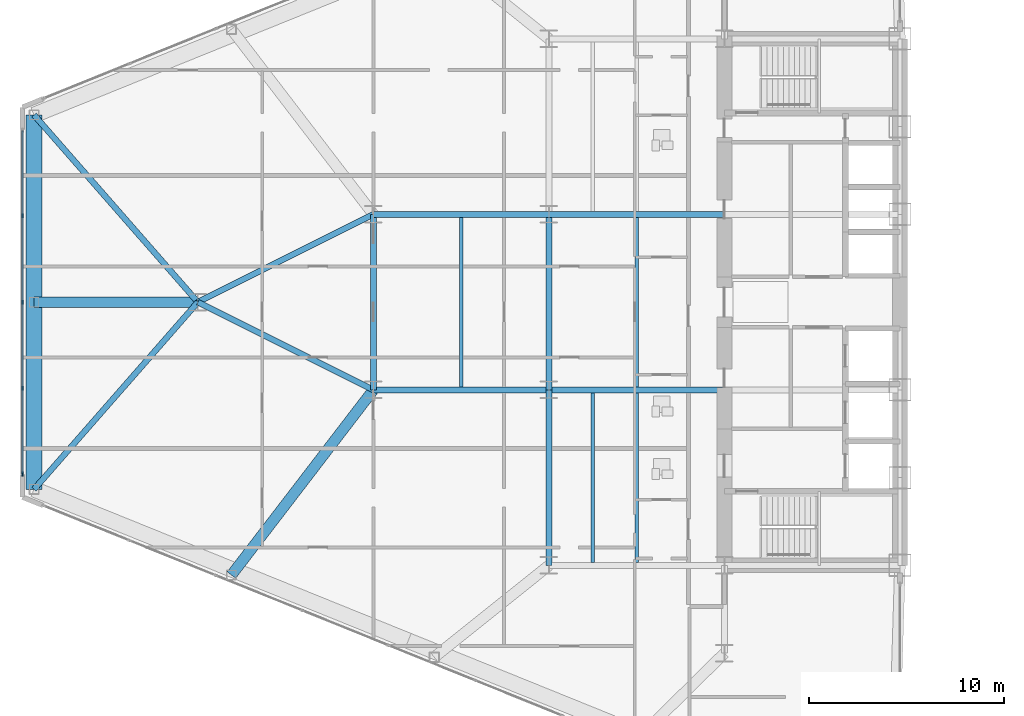
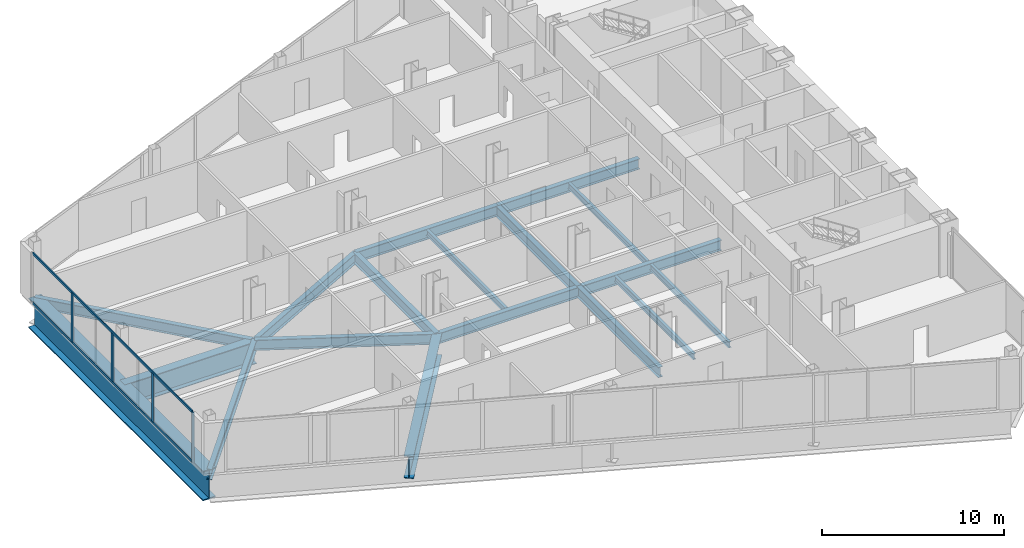
# One storey, part 5 of 26: 18 beams, 6 members, 1 element without a shape of its own.
"""IFC4 building model written with IfcOpenShell, lengths in metres."""

from ifc_helpers import new_model, si_unit, direction, frame, origin, origin_2d, place, context, subcontext, project, spatial, rectangle, i_section, extrude, source, transform, mapped, material, layer, layer_set, material_profile, profile_set, type_object, type_shapes, element, aggregate, save


model = new_model("IFC4")

# Units and contexts
model_context = context("Model", 3, precision=1e-05, world=origin(), true_north=direction((0.0, 1.0)))
body_context = subcontext(model_context, "Body", "Model", "MODEL_VIEW")
ifc_project = project(units=[si_unit("LENGTHUNIT", "METRE"), si_unit("AREAUNIT", "SQUARE_METRE"), si_unit("VOLUMEUNIT", "CUBIC_METRE"), si_unit("PLANEANGLEUNIT", "RADIAN"), si_unit("MASSUNIT", "GRAM", prefix="KILO")], contexts=[model_context])

# Site, building, storey
site_placement = place(None, origin())
site = spatial("IfcSite", under=ifc_project, at=site_placement, CompositionType="ELEMENT")
building_placement = place(site_placement, origin())
building = spatial("IfcBuilding", under=site, at=building_placement, Name="Seokmaru Belvedere", CompositionType="ELEMENT")
storey_placement = place(building_placement, frame((0.0, 0.0, 18.89990234375)))
storey = spatial("IfcBuildingStorey", under=building, at=storey_placement, Name="L04", CompositionType="ELEMENT", Elevation=18.89990234375)

# Beams
ifc_material_1 = material(Name="Steel SM355 (355 MPa)", Category="steel")
ifc_material_profile_1 = material_profile(ifc_material_1, i_section(OverallWidth=0.300048828125, OverallDepth=0.699951171875, WebThickness=0.012939453125, FlangeThickness=0.02392578125, at=origin_2d()), Name="H-700x300x13x24")
ifc_profile_set_1 = profile_set([ifc_material_profile_1], Name="Steel SM355 (355 MPa)")
beam_type_1 = type_object("IfcBeamType", Name="Primary Floor Girder H-700", PredefinedType="BEAM", material=ifc_profile_set_1)
shared_shape_1 = source(origin(), body_context, "Body", "SweptSolid", [
    extrude(i_section(OverallWidth=0.300048828125, OverallDepth=0.699951171875, WebThickness=0.012939453125, FlangeThickness=0.02392578125, at=origin_2d()), origin(), (0.0, 0.0, 1.0), 9.0),
])
for number, where, z_axis, x_axis, name in (
    (1, (-45.5, -13.5, -0.56982421875), (0.0, 1.0, 0.0), (-1.0, 0.0, 0.0), "L04 W Interior Grid Girder 1"),
    (2, (-45.5, -4.5, -0.56982421875), (0.0, 1.0, 0.0), (-1.0, 0.0, 0.0), "L04 W Interior Grid Girder 2"),
    (3, (-45.5, -4.5, -0.56982421875), (1.0, 0.0, 0.0), (0.0, 1.0, 0.0), "L04 W Wing Primary Girder 2"),
    (4, (-45.5, 4.5, -0.56982421875), (1.0, 0.0, 0.0), (0.0, 1.0, 0.0), "L04 W Wing Primary Girder 3"),
    (5, (-54.5, -4.5, -0.56982421875), (1.0, 0.0, 0.0), (0.0, 1.0, 0.0), "L04 W Outer Wing Girder 1"),
    (6, (-54.5, 4.5, -0.56982421875), (1.0, 0.0, 0.0), (0.0, 1.0, 0.0), "L04 W Outer Wing Girder 2"),
    (7, (-54.5, -4.5, -0.56982421875), (0.0, 1.0, 0.0), (-1.0, 0.0, 0.0), "L04 W Apex Frame Girder"),
):
    element("IfcBeam", number, at=place(storey_placement, frame(where, z_axis=z_axis, x_axis=x_axis)), inside=storey, type_object=beam_type_1, Name=name, PredefinedType="BEAM", context=body_context, shape_type="MappedRepresentation", body=[
        mapped(shared_shape_1, transform((0.0, 0.0, 0.0), scale=1.0)),
    ])
shared_shape_2 = source(origin(), body_context, "Body", "SweptSolid", [
    extrude(i_section(OverallWidth=0.300048828125, OverallDepth=0.699951171875, WebThickness=0.012939453125, FlangeThickness=0.02392578125, at=origin_2d()), origin(), (0.0, 0.0, 1.0), 10.062255859375),
])
for number, where, z_axis, x_axis, name in (
    (8, (-54.5, -4.5, -0.56982421875), (-0.894427191, 0.4472135955, 0.0), (-0.4472135955, -0.894427191, 0.0), "L04 W Apex Converging Girder 1"),
    (9, (-54.5, 4.5, -0.56982421875), (-0.894427191, -0.4472135955, 0.0), (0.4472135955, -0.894427191, 0.0), "L04 W Apex Converging Girder 2"),
):
    element("IfcBeam", number, at=place(storey_placement, frame(where, z_axis=z_axis, x_axis=x_axis)), inside=storey, type_object=beam_type_1, Name=name, PredefinedType="BEAM", context=body_context, shape_type="MappedRepresentation", body=[
        mapped(shared_shape_2, transform((0.0, 0.0, 0.0), scale=1.0)),
    ])
ifc_material_profile_2 = material_profile(ifc_material_1, i_section(OverallWidth=0.18505859375, OverallDepth=0.389892578125, WebThickness=0.008056640625, FlangeThickness=0.011962890625, at=origin_2d()), Name="H-390x185x8x12")
ifc_profile_set_2 = profile_set([ifc_material_profile_2], Name="Steel SM355 (355 MPa)")
beam_type_2 = type_object("IfcBeamType", Name="Secondary Floor Joist H-350", PredefinedType="JOIST", material=ifc_profile_set_2)
shared_shape_3 = source(origin(), body_context, "Body", "SweptSolid", [
    extrude(i_section(OverallWidth=0.18505859375, OverallDepth=0.389892578125, WebThickness=0.008056640625, FlangeThickness=0.011962890625, at=origin_2d()), origin(), (0.0, 0.0, 1.0), 8.68994140625),
])
type_shapes(beam_type_2, [shared_shape_3])
for number, where, z_axis, x_axis, name in (
    (10, (-43.25, -13.344970703125, -0.414794921875), (0.0, 1.0, 0.0), (-1.0, 0.0, 0.0), "L04 W Wing Inner Secondary Joist 1"),
    (11, (-41.0, -13.344970703125, -0.414794921875), (0.0, 1.0, 0.0), (-1.0, 0.0, 0.0), "L04 W Secondary Floor Joist 1"),
    (12, (-41.0, -4.344970703125, -0.414794921875), (0.0, 1.0, 0.0), (-1.0, 0.0, 0.0), "L04 W Secondary Floor Joist 2"),
    (13, (-50.0, -4.344970703125, -0.414794921875), (0.0, 1.0, 0.0), (-1.0, 0.0, 0.0), "L04 W Outer Bay Secondary Joist"),
):
    element("IfcBeam", number, at=place(storey_placement, frame(where, z_axis=z_axis, x_axis=x_axis)), inside=storey, type_object=beam_type_2, Name=name, PredefinedType="JOIST", context=body_context, shape_type="MappedRepresentation", body=[
        mapped(shared_shape_3, transform((0.0, 0.0, 0.0), scale=1.0)),
    ])
ifc_material_2 = material(Name="Steel HSA650 (650 MPa)", Category="steel")
ifc_material_profile_3 = material_profile(ifc_material_2, i_section(OverallWidth=0.800048828125, OverallDepth=2.0, WebThickness=0.0400390625, FlangeThickness=0.070068359375, at=origin_2d()), Name="BH-2000x800x40x70")
ifc_profile_set_3 = profile_set([ifc_material_profile_3], Name="Steel HSA650 (650 MPa)")
beam_type_3 = type_object("IfcBeamType", Name="Sky-Gate Transfer Truss Chord Girder BH-2000", PredefinedType="BEAM", material=ifc_profile_set_3)
shared_shape_4 = source(origin(), body_context, "Body", "SweptSolid", [
    extrude(i_section(OverallWidth=0.800048828125, OverallDepth=2.0, WebThickness=0.0400390625, FlangeThickness=0.070068359375, at=origin_2d()), origin(), (0.0, 0.0, 1.0), 19.19140625),
])
type_shapes(beam_type_3, [shared_shape_4])
beam_1_placement = place(storey_placement, frame((-71.89990234375, -9.595703125, -1.219970703125), z_axis=(0.0, 1.0, 0.0), x_axis=(-1.0, 0.0, 0.0)))
element("IfcBeam", 14, at=beam_1_placement, inside=storey, type_object=beam_type_3, Name="L04 W Podium Apex Transfer Girder", PredefinedType="BEAM", context=body_context, shape_type="MappedRepresentation", body=[
    mapped(shared_shape_4, transform((0.0, 0.0, 0.0), scale=1.0)),
])
ifc_material_profile_4 = material_profile(ifc_material_2, i_section(OverallWidth=0.550048828125, OverallDepth=1.5, WebThickness=0.028076171875, FlangeThickness=0.044921875, at=origin_2d()), Name="BH-1500x550x28x45")
ifc_profile_set_4 = profile_set([ifc_material_profile_4], Name="Steel HSA650 (650 MPa)")
beam_type_4 = type_object("IfcBeamType", Name="Setback Transfer Girder BH-1500", PredefinedType="BEAM", material=ifc_profile_set_4)
shared_shape_5 = source(origin(), body_context, "Body", "SweptSolid", [
    extrude(i_section(OverallWidth=0.550048828125, OverallDepth=1.5, WebThickness=0.028076171875, FlangeThickness=0.044921875, at=origin_2d()), origin(), (0.0, 0.0, 1.0), 11.96337890625),
])
beam_2_placement = place(storey_placement, frame((-61.779052734375, -13.994140625, -0.969970703125), z_axis=(0.608442682624, 0.793597821294, 0.0), x_axis=(-0.793597821294, 0.608442682624, 0.0)))
element("IfcBeam", 15, at=beam_2_placement, inside=storey, type_object=beam_type_4, Name="L04 W Flank Radial Floor Girder S-3", PredefinedType="BEAM", context=body_context, shape_type="MappedRepresentation", body=[
    mapped(shared_shape_5, transform((0.0, 0.0, 0.0), scale=1.0)),
])
shared_shape_6 = source(origin(), body_context, "Body", "SweptSolid", [
    extrude(i_section(OverallWidth=0.300048828125, OverallDepth=0.699951171875, WebThickness=0.012939453125, FlangeThickness=0.02392578125, at=origin_2d()), origin(), (0.0, 0.0, 1.0), 12.7529296875),
])
type_shapes(beam_type_1, [shared_shape_1, shared_shape_2, shared_shape_6])
for number, where, z_axis, x_axis, name in (
    (16, (-71.89990234375, -9.595703125, -0.56982421875), (0.658667231479, 0.752434368019, 0.0), (-0.752434368019, 0.658667231479, 0.0), "L04 W Apex Radial Floor Girder 1"),
    (17, (-71.89990234375, 9.595703125, -0.56982421875), (0.658667231479, -0.752434368019, 0.0), (0.752434368019, 0.658667231479, 0.0), "L04 W Apex Radial Floor Girder 2"),
):
    element("IfcBeam", number, at=place(storey_placement, frame(where, z_axis=z_axis, x_axis=x_axis)), inside=storey, type_object=beam_type_1, Name=name, PredefinedType="BEAM", context=body_context, shape_type="MappedRepresentation", body=[
        mapped(shared_shape_6, transform((0.0, 0.0, 0.0), scale=1.0)),
    ])
shared_shape_7 = source(origin(), body_context, "Body", "SweptSolid", [
    extrude(i_section(OverallWidth=0.550048828125, OverallDepth=1.5, WebThickness=0.028076171875, FlangeThickness=0.044921875, at=origin_2d()), origin(), (0.0, 0.0, 1.0), 8.39990234375),
])
type_shapes(beam_type_4, [shared_shape_5, shared_shape_7])
beam_3_placement = place(storey_placement, frame((-71.89990234375, 0.0, -0.969970703125), z_axis=(1.0, 0.0, 0.0), x_axis=(0.0, 1.0, 0.0)))
element("IfcBeam", 18, at=beam_3_placement, inside=storey, type_object=beam_type_4, Name="L04 W Apex Center Radial Girder", PredefinedType="BEAM", context=body_context, shape_type="MappedRepresentation", body=[
    mapped(shared_shape_7, transform((0.0, 0.0, 0.0), scale=1.0)),
])

# Curtain wall, members
ifc_material_3 = material(Name="Bronze Triple Insulating Glass", Category="glass")
ifc_layer = layer(ifc_material_3, 0.2099609375)
ifc_layer_set = layer_set([ifc_layer], Name="Bronze Triple Insulating Glass")
curtain_wall_type = type_object("IfcCurtainWallType", Name="Low-Rise Faceted Crystal Curtain Wall System CW-2", PredefinedType="NOTDEFINED", material=ifc_layer_set)
curtain_wall_placement = place(storey_placement, origin())
curtain_wall = element("IfcCurtainWall", 19, at=curtain_wall_placement, inside=storey, type_object=curtain_wall_type, Name="L04 Curtain Wall WF4", PredefinedType="NOTDEFINED")
ifc_material_4 = material(Name="Anodised Bronze Aluminium", Category="aluminium")
ifc_material_profile_5 = material_profile(ifc_material_4, rectangle(XDim=0.074951171875, YDim=0.2099609375, at=origin_2d()), Name="CW-M-75x210")
ifc_profile_set_5 = profile_set([ifc_material_profile_5], Name="Anodised Bronze Aluminium")
member_type_1 = type_object("IfcMemberType", Name="Bronze Unitised Mullion 75x210", PredefinedType="MULLION", material=ifc_profile_set_5)
shared_shape_8 = source(origin(), body_context, "Body", "SweptSolid", [
    extrude(rectangle(XDim=0.074951171875, YDim=0.2099609375, at=origin_2d()), origin(), (0.0, 0.0, 1.0), 3.380126953125),
])
member_1_placement = place(storey_placement, frame((-72.5, -8.8125, 0.0), z_axis=(0.0, 0.0, 1.0), x_axis=(1.0, 0.0, 0.0)))
member_1 = element("IfcMember", 20, at=member_1_placement, type_object=member_type_1, Name="CW:L04:WF4 Mullion 5", PredefinedType="MULLION", context=body_context, shape_type="MappedRepresentation", body=[
    mapped(shared_shape_8, transform((0.0, 0.0, 0.0), scale=1.0)),
])
shared_shape_9 = source(origin(), body_context, "Body", "SweptSolid", [
    extrude(rectangle(XDim=0.074951171875, YDim=0.2099609375, at=origin_2d()), origin(), (0.0, 0.0, 1.0), 3.239990234375),
])
type_shapes(member_type_1, [shared_shape_8, shared_shape_9])
member_2_placement = place(storey_placement, frame((-72.5, 4.425048828125, 0.070068359375), z_axis=(0.0, 0.0, 1.0), x_axis=(1.0, 0.0, 0.0)))
member_2 = element("IfcMember", 21, at=member_2_placement, type_object=member_type_1, Name="CW:L04:WF4 Mullion 2", PredefinedType="MULLION", context=body_context, shape_type="MappedRepresentation", body=[
    mapped(shared_shape_9, transform((0.0, 0.0, 0.0), scale=1.0)),
])
member_3_placement = place(storey_placement, frame((-72.5, 0.0, 0.070068359375), z_axis=(0.0, 0.0, 1.0), x_axis=(1.0, 0.0, 0.0)))
member_3 = element("IfcMember", 22, at=member_3_placement, type_object=member_type_1, Name="CW:L04:WF4 Mullion 3", PredefinedType="MULLION", context=body_context, shape_type="MappedRepresentation", body=[
    mapped(shared_shape_9, transform((0.0, 0.0, 0.0), scale=1.0)),
])
member_4_placement = place(storey_placement, frame((-72.5, -4.425048828125, 0.070068359375), z_axis=(0.0, 0.0, 1.0), x_axis=(1.0, 0.0, 0.0)))
member_4 = element("IfcMember", 23, at=member_4_placement, type_object=member_type_1, Name="CW:L04:WF4 Mullion 4", PredefinedType="MULLION", context=body_context, shape_type="MappedRepresentation", body=[
    mapped(shared_shape_9, transform((0.0, 0.0, 0.0), scale=1.0)),
])
ifc_material_profile_6 = material_profile(ifc_material_4, rectangle(XDim=0.070068359375, YDim=0.1650390625, at=origin_2d()), Name="CW-T-70x165")
ifc_profile_set_6 = profile_set([ifc_material_profile_6], Name="Anodised Bronze Aluminium")
member_type_2 = type_object("IfcMemberType", Name="Bronze Unitised Transom 70x165", PredefinedType="USERDEFINED", material=ifc_profile_set_6)
shared_shape_10 = source(origin(), body_context, "Body", "SweptSolid", [
    extrude(rectangle(XDim=0.070068359375, YDim=0.1650390625, at=origin_2d()), origin(), (0.0, 0.0, 1.0), 17.5498046875),
])
type_shapes(member_type_2, [shared_shape_10])
member_5_placement = place(storey_placement, frame((-72.5, 8.77490234375, 0.03515625), z_axis=(0.0, -1.0, 0.0), x_axis=(1.0, 0.0, 0.0)))
member_5 = element("IfcMember", 24, at=member_5_placement, type_object=member_type_2, Name="CW:L04:WF4 Continuous Transom 1", ObjectType="TRANSOM", PredefinedType="USERDEFINED", context=body_context, shape_type="MappedRepresentation", body=[
    mapped(shared_shape_10, transform((0.0, 0.0, 0.0), scale=1.0)),
])
member_6_placement = place(storey_placement, frame((-72.5, 8.77490234375, 3.34521484375), z_axis=(0.0, -1.0, 0.0), x_axis=(1.0, 0.0, 0.0)))
member_6 = element("IfcMember", 25, at=member_6_placement, type_object=member_type_2, Name="CW:L04:WF4 Continuous Transom 2", ObjectType="TRANSOM", PredefinedType="USERDEFINED", context=body_context, shape_type="MappedRepresentation", body=[
    mapped(shared_shape_10, transform((0.0, 0.0, 0.0), scale=1.0)),
])
aggregate(curtain_wall, [member_2, member_3, member_4, member_1, member_5, member_6])

save(model, "model.ifc")
